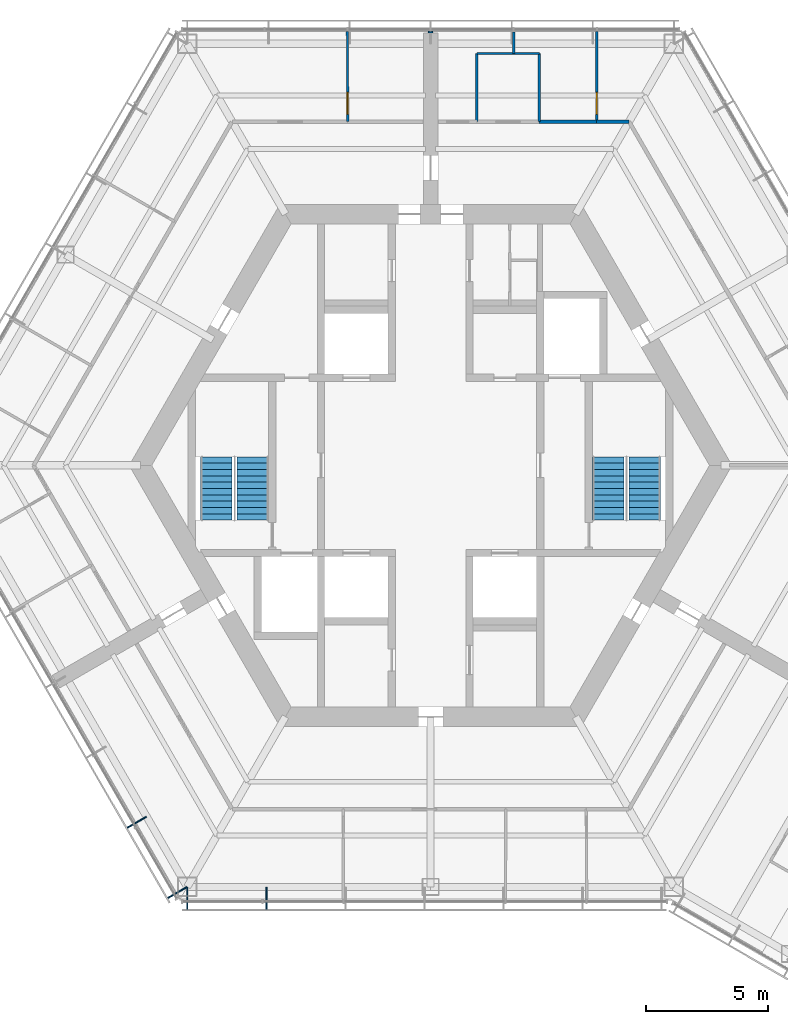
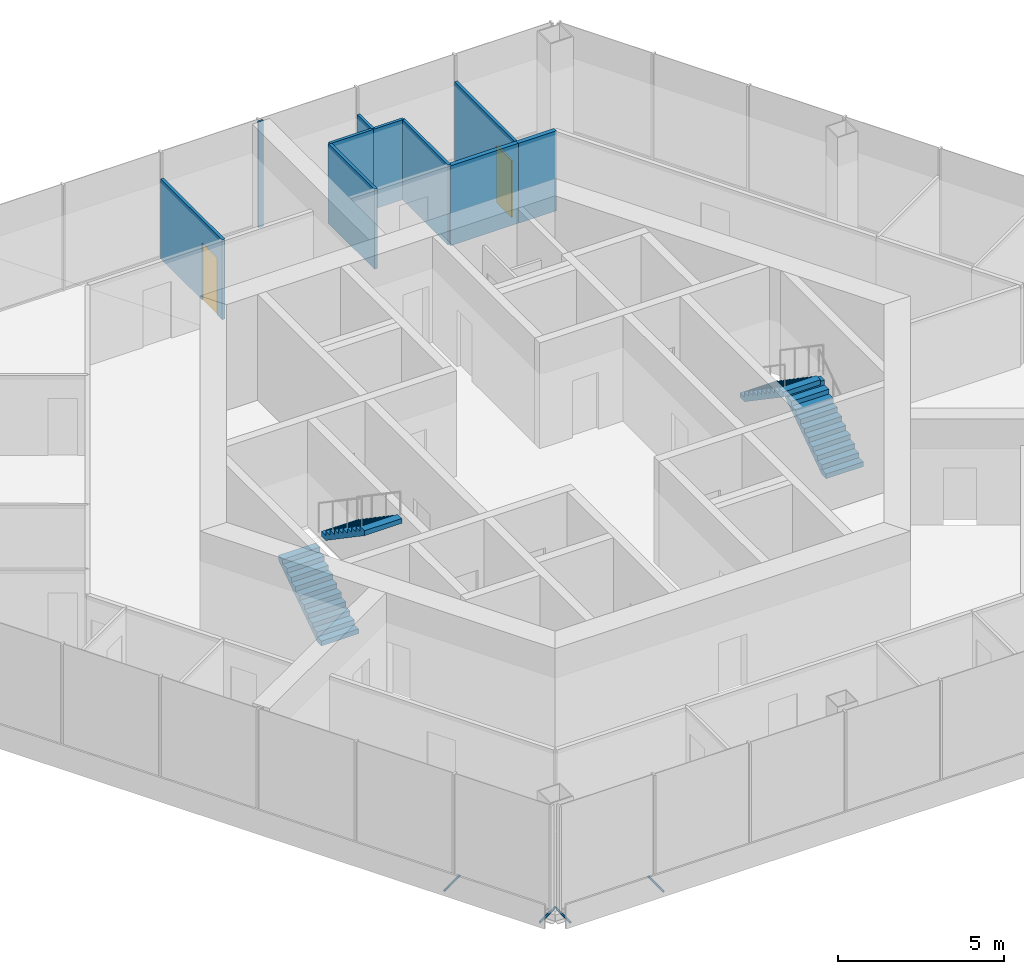
# One storey, part 10 of 13: 10 walls, 4 discrete accessories, 4 stair flights, 2 doors, 2 openings, 2 elements without a shape of their own.
"""IFC4 building model written with IfcOpenShell, lengths in metres."""

from ifc_helpers import new_model, si_unit, direction, frame, frame_2d, origin, origin_2d, place, context, subcontext, project, spatial, polyline, rectangle, hollow_circle, outline, extrude, material, layer, layer_set, material_profile, profile_set, type_object, element, fill, aggregate, save


model = new_model("IFC4")

# Units and contexts
model_context = context("Model", 3, precision=1e-05, world=origin(), true_north=direction((0.0, 1.0)))
body_context = subcontext(model_context, "Body", "Model", "MODEL_VIEW")
ifc_project = project(units=[si_unit("LENGTHUNIT", "METRE"), si_unit("AREAUNIT", "SQUARE_METRE"), si_unit("VOLUMEUNIT", "CUBIC_METRE"), si_unit("PLANEANGLEUNIT", "RADIAN"), si_unit("MASSUNIT", "GRAM", prefix="KILO")], contexts=[model_context])

# Site, building, storey
site_placement = place(None, origin())
site = spatial("IfcSite", under=ifc_project, at=site_placement, CompositionType="ELEMENT")
building_placement = place(site_placement, origin())
building = spatial("IfcBuilding", under=site, at=building_placement, Name="Kasaneha Research Tower", CompositionType="ELEMENT")
storey_placement = place(building_placement, frame((0.0, 0.0, 283.0)))
storey = spatial("IfcBuildingStorey", under=building, at=storey_placement, Name="L71", CompositionType="ELEMENT", Elevation=283.0)

# Walls
ifc_material_1 = material(Name="Gypsum board on steel studs, one layer each side", Category="steel")
ifc_layer_1 = layer(ifc_material_1, 0.10009765625)
ifc_layer_set_1 = layer_set([ifc_layer_1], Name="Office partition 100")
wall_type_1 = type_object("IfcWallType", Name="Office partition 100", PredefinedType="PARTITIONING", material=ifc_layer_set_1)
wall_1_placement = place(storey_placement, frame((3.410400390625, 16.925048828125, 0.0), z_axis=(0.0, 0.0, 1.0), x_axis=(1.0, 0.0, 0.0)))
element("IfcWall", 1, at=wall_1_placement, inside=storey, type_object=wall_type_1, Name="Office partition FAE08 L71", PredefinedType="PARTITIONING", context=body_context, shape_type="SweptSolid", body=[
    extrude(rectangle(XDim=1.0546875, YDim=0.10009765625, at=frame_2d((0.52734375, 0.0))), origin(), (0.0, 0.0, 1.0), 2.949951171875),
])
wall_2_placement = place(storey_placement, frame((4.465087890625, 16.925048828125, 0.0), z_axis=(0.0, 0.0, 1.0), x_axis=(-0.001831019688, -0.999998323682, 0.0)))
element("IfcWall", 2, at=wall_2_placement, inside=storey, type_object=wall_type_1, Name="Office partition FAE09 L71", PredefinedType="PARTITIONING", context=body_context, shape_type="SweptSolid", body=[
    extrude(rectangle(XDim=2.800048828125, YDim=0.10009765625, at=frame_2d((1.39990234375, 0.0))), origin(), (0.0, 0.0, 1.0), 2.949951171875),
])
wall_3_placement = place(storey_placement, frame((1.89990234375, 16.925048828125, 0.0), z_axis=(0.0, 0.0, 1.0), x_axis=(1.0, 0.0, 0.0)))
element("IfcWall", 3, at=wall_3_placement, inside=storey, type_object=wall_type_1, Name="Office partition FAE10 L71", PredefinedType="PARTITIONING", context=body_context, shape_type="SweptSolid", body=[
    extrude(rectangle(XDim=1.5205078125, YDim=0.10009765625, at=frame_2d((0.76025390625, 0.0))), origin(), (0.0, 0.0, 1.0), 2.949951171875),
])
wall_4_placement = place(storey_placement, frame((1.905029296875, 14.125, 0.0), z_axis=(0.0, 0.0, 1.0), x_axis=(-0.001831019688, 0.999998323682, 0.0)))
element("IfcWall", 4, at=wall_4_placement, inside=storey, type_object=wall_type_1, Name="Office partition FAE11 L71", PredefinedType="PARTITIONING", context=body_context, shape_type="SweptSolid", body=[
    extrude(rectangle(XDim=2.800048828125, YDim=0.10009765625, at=frame_2d((1.39990234375, 0.0))), origin(), (0.0, 0.0, 1.0), 2.949951171875),
])
wall_5_placement = place(storey_placement, frame((3.42041015625, 16.925048828125, 0.0), z_axis=(0.0, 0.0, 1.0), x_axis=(-0.005577158101, 0.999984447533, 0.0)))
element("IfcWall", 5, at=wall_5_placement, inside=storey, type_object=wall_type_1, Name="Office partition FAE14 L71", PredefinedType="PARTITIONING", context=body_context, shape_type="SweptSolid", body=[
    extrude(rectangle(XDim=0.87548828125, YDim=0.10009765625, at=frame_2d((0.437744140625, 0.0))), origin(), (0.0, 0.0, 1.0), 2.949951171875),
])

# Wall, opening, door
wall_6_placement = place(storey_placement, frame((6.8310546875, 17.83544921875, 0.0), z_axis=(0.0, 0.0, 1.0), x_axis=(-0.001250163518, -0.999999218545, 0.0)))
wall_6 = element("IfcWall", 6, at=wall_6_placement, inside=storey, type_object=wall_type_1, Name="Office partition FAE15 L71", PredefinedType="PARTITIONING", context=body_context, shape_type="SweptSolid", body=[
    extrude(rectangle(XDim=3.71044921875, YDim=0.10009765625, at=frame_2d((1.855224609375, 0.0))), origin(), (0.0, 0.0, 1.0), 2.949951171875),
])
opening_1_placement = place(wall_6_placement, frame((2.510498046875, 0.0, 0.0)))
opening_1 = element("IfcOpeningElement", 7, at=opening_1_placement, cuts=wall_6, Name="Opening L71-D28", PredefinedType="OPENING", context=body_context, shape_type="SweptSolid", body=[
    extrude(rectangle(XDim=0.89990234375, YDim=2.10009765625, at=frame_2d((0.449951171875, 1.050048828125))), frame((0.0, 0.06005859375, 0.0), z_axis=(0.0, -1.0, 0.0), x_axis=(1.0, 0.0, 0.0)), (0.0, 0.0, 1.0), 0.1201171875),
])
ifc_material_2 = material(Name="Timber veneer", Category="wood")
door_type = type_object("IfcDoorType", Name="Office door 900x2100", OperationType="SINGLE_SWING_LEFT", PredefinedType="DOOR", material=ifc_material_2)
door_1_placement = place(opening_1_placement, origin())
door_1 = element("IfcDoor", 8, at=door_1_placement, inside=storey, type_object=door_type, Name="Executive office door L71-D28", OperationType="SINGLE_SWING_RIGHT", OverallHeight=2.10009765625, OverallWidth=0.89990234375, PredefinedType="DOOR", context=body_context, shape_type="SweptSolid", body=[
    extrude(rectangle(XDim=0.89990234375, YDim=2.10009765625, at=frame_2d((0.449951171875, 1.050048828125))), frame((0.0, 0.02490234375, 0.0), z_axis=(0.0, -1.0, 0.0), x_axis=(1.0, 0.0, 0.0)), (0.0, 0.0, 1.0), 0.050048828125),
])
fill(opening_1, door_1)

wall_7_placement = place(storey_placement, frame((-3.410888671875, 14.125, 0.0), z_axis=(0.0, 0.0, 1.0), x_axis=(-0.001250163518, 0.999999218545, 0.0)))
wall_7 = element("IfcWall", 9, at=wall_7_placement, inside=storey, type_object=wall_type_1, Name="Office partition FAW03 L71", PredefinedType="PARTITIONING", context=body_context, shape_type="SweptSolid", body=[
    extrude(rectangle(XDim=3.71044921875, YDim=0.10009765625, at=frame_2d((1.855224609375, 0.0))), origin(), (0.0, 0.0, 1.0), 2.949951171875),
])
opening_2_placement = place(wall_7_placement, frame((0.300048828125, 0.0, 0.0)))
opening_2 = element("IfcOpeningElement", 10, at=opening_2_placement, cuts=wall_7, Name="Opening L71-D30", PredefinedType="OPENING", context=body_context, shape_type="SweptSolid", body=[
    extrude(rectangle(XDim=0.89990234375, YDim=2.10009765625, at=frame_2d((0.449951171875, 1.050048828125))), frame((0.0, 0.06005859375, 0.0), z_axis=(0.0, -1.0, 0.0), x_axis=(1.0, 0.0, 0.0)), (0.0, 0.0, 1.0), 0.1201171875),
])
door_2_placement = place(opening_2_placement, origin())
door_2 = element("IfcDoor", 11, at=door_2_placement, inside=storey, type_object=door_type, Name="Executive office door L71-D30", OperationType="SINGLE_SWING_LEFT", OverallHeight=2.10009765625, OverallWidth=0.89990234375, PredefinedType="DOOR", context=body_context, shape_type="SweptSolid", body=[
    extrude(rectangle(XDim=0.89990234375, YDim=2.10009765625, at=frame_2d((0.449951171875, 1.050048828125))), frame((0.0, 0.02490234375, 0.0), z_axis=(0.0, -1.0, 0.0), x_axis=(1.0, 0.0, 0.0)), (0.0, 0.0, 1.0), 0.050048828125),
])
fill(opening_2, door_2)

# Walls
ifc_material_3 = material(Name="Gypsum board on steel studs, two layers each side", Category="steel")
ifc_layer_2 = layer(ifc_material_3, 0.14990234375)
ifc_layer_set_2 = layer_set([ifc_layer_2], Name="Suite partition 150")
wall_type_2 = type_object("IfcWallType", Name="Suite partition 150", PredefinedType="PARTITIONING", material=ifc_layer_set_2)
wall_8_placement = place(storey_placement, frame((4.4599609375, 14.125, 0.0), z_axis=(0.0, 0.0, 1.0), x_axis=(1.0, 0.0, 0.0)))
element("IfcWall", 12, at=wall_8_placement, inside=storey, type_object=wall_type_2, Name="Suite partition FAE03 L71", PredefinedType="PARTITIONING", context=body_context, shape_type="SweptSolid", body=[
    extrude(rectangle(XDim=2.3759765625, YDim=0.14990234375, at=frame_2d((1.18798828125, 0.0))), origin(), (0.0, 0.0, 1.0), 2.949951171875),
])
wall_9_placement = place(storey_placement, frame((6.826416015625, 14.125, 0.0), z_axis=(0.0, 0.0, 1.0), x_axis=(1.0, 0.0, 0.0)))
element("IfcWall", 13, at=wall_9_placement, inside=storey, type_object=wall_type_2, Name="Suite partition FAE06 L71", PredefinedType="PARTITIONING", context=body_context, shape_type="SweptSolid", body=[
    extrude(rectangle(XDim=1.32861328125, YDim=0.14990234375, at=frame_2d((0.664306640625, 0.0))), origin(), (0.0, 0.0, 1.0), 2.949951171875),
])
ifc_material_4 = material(Name="Gypsum board on steel studs, two layers each side", Category="steel")
ifc_layer_3 = layer(ifc_material_4, 0.175048828125)
ifc_layer_set_3 = layer_set([ifc_layer_3], Name="Tenancy fire partition 175")
wall_type_3 = type_object("IfcWallType", Name="Tenancy fire partition 175", PredefinedType="PARTITIONING", material=ifc_layer_set_3)
wall_10_placement = place(storey_placement, frame((0.0, 17.7705078125, 0.0), z_axis=(0.0, 0.0, 1.0), x_axis=(0.0, 1.0, 0.0)))
element("IfcWall", 14, at=wall_10_placement, inside=storey, type_object=wall_type_3, Name="Spine wall closer SW4-600 L71", PredefinedType="PARTITIONING", context=body_context, shape_type="SweptSolid", body=[
    extrude(rectangle(XDim=0.06494140625, YDim=0.175048828125, at=frame_2d((0.032470703125, 0.0))), origin(), (0.0, 0.0, 1.0), 3.89990234375),
])

# Stair, stair flights
ifc_material_5 = material(Name="Concrete Fc24", Category="concrete")
stair_type = type_object("IfcStairType", Name="Half-turn stair 22 risers", PredefinedType="HALF_TURN_STAIR", material=ifc_material_5)
stair_1_placement = place(storey_placement, origin())
stair_1 = element("IfcStair", 15, at=stair_1_placement, inside=storey, type_object=stair_type, Name="Stair 1 L71", PredefinedType="HALF_TURN_STAIR")
ifc_material_6 = material(Name="Concrete Fc24", Category="concrete")
stair_flight_type = type_object("IfcStairFlightType", Name="Stair flight 11 risers 177.3", PredefinedType="STRAIGHT", material=ifc_material_6)
stair_flight_1_placement = place(storey_placement, frame((8.800048828125, -2.25, 0.0), z_axis=(0.0, 0.0, 1.0), x_axis=(0.0, 1.0, 0.0)))
stair_flight_1 = element("IfcStairFlight", 16, at=stair_flight_1_placement, type_object=stair_flight_type, Name="ST1-22R flight 1", NumberOfRisers=11, NumberOfTreads=10, PredefinedType="STRAIGHT", RiserHeight=0.177272727, TreadLength=0.26, context=body_context, shape_type="SweptSolid", body=[
    extrude(outline(polyline([(0.0, 0.0), (0.0, 0.17724609375), (0.260009765625, 0.17724609375), (0.260009765625, 0.3544921875), (0.52001953125, 0.3544921875), (0.52001953125, 0.53173828125), (0.780029296875, 0.53173828125), (0.780029296875, 0.708984375), (1.0400390625, 0.708984375), (1.0400390625, 0.886474609375), (1.300048828125, 0.886474609375), (1.300048828125, 1.063720703125), (1.56005859375, 1.063720703125), (1.56005859375, 1.240966796875), (1.820068359375, 1.240966796875), (1.820068359375, 1.418212890625), (2.080078125, 1.418212890625), (2.080078125, 1.595458984375), (2.340087890625, 1.595458984375), (2.340087890625, 1.772705078125), (2.60009765625, 1.772705078125), (2.60009765625, 1.949951171875), (2.60009765625, 1.59130859375), (0.26611328125, 0.0), (0.0, 0.0)])), frame((0.0, 0.64990234375, 0.0), z_axis=(0.0, -1.0, 0.0), x_axis=(1.0, 0.0, 0.0)), (0.0, 0.0, 1.0), 1.300048828125),
])
stair_flight_2_placement = place(storey_placement, frame((7.300048828125, 0.35009765625, 1.949951171875), z_axis=(0.0, 0.0, 1.0), x_axis=(0.0, -1.0, 0.0)))
stair_flight_2 = element("IfcStairFlight", 17, at=stair_flight_2_placement, type_object=stair_flight_type, Name="ST1-22R flight 2", NumberOfRisers=11, NumberOfTreads=10, PredefinedType="STRAIGHT", RiserHeight=0.177272727, TreadLength=0.26, context=body_context, shape_type="SweptSolid", body=[
    extrude(outline(polyline([(0.0, 0.0), (0.0, 0.17724609375), (0.260009765625, 0.17724609375), (0.260009765625, 0.3544921875), (0.52001953125, 0.3544921875), (0.52001953125, 0.53173828125), (0.780029296875, 0.53173828125), (0.780029296875, 0.708984375), (1.0400390625, 0.708984375), (1.0400390625, 0.886474609375), (1.300048828125, 0.886474609375), (1.300048828125, 1.063720703125), (1.56005859375, 1.063720703125), (1.56005859375, 1.240966796875), (1.820068359375, 1.240966796875), (1.820068359375, 1.418212890625), (2.080078125, 1.418212890625), (2.080078125, 1.595458984375), (2.340087890625, 1.595458984375), (2.340087890625, 1.772705078125), (2.60009765625, 1.772705078125), (2.60009765625, 1.949951171875), (2.60009765625, 1.59130859375), (0.26611328125, 0.0), (0.0, 0.0)])), frame((0.0, 0.64990234375, 0.0), z_axis=(0.0, -1.0, 0.0), x_axis=(1.0, 0.0, 0.0)), (0.0, 0.0, 1.0), 1.300048828125),
])
aggregate(stair_1, [stair_flight_1, stair_flight_2])

stair_2_placement = place(storey_placement, origin())
stair_2 = element("IfcStair", 18, at=stair_2_placement, inside=storey, type_object=stair_type, Name="Stair 2 L71", PredefinedType="HALF_TURN_STAIR")
stair_flight_3_placement = place(storey_placement, frame((-8.800048828125, -2.25, 0.0), z_axis=(0.0, 0.0, 1.0), x_axis=(0.0, 1.0, 0.0)))
stair_flight_3 = element("IfcStairFlight", 19, at=stair_flight_3_placement, type_object=stair_flight_type, Name="ST2-22R flight 1", NumberOfRisers=11, NumberOfTreads=10, PredefinedType="STRAIGHT", RiserHeight=0.177272727, TreadLength=0.26, context=body_context, shape_type="SweptSolid", body=[
    extrude(outline(polyline([(0.0, 0.0), (0.0, 0.17724609375), (0.260009765625, 0.17724609375), (0.260009765625, 0.3544921875), (0.52001953125, 0.3544921875), (0.52001953125, 0.53173828125), (0.780029296875, 0.53173828125), (0.780029296875, 0.708984375), (1.0400390625, 0.708984375), (1.0400390625, 0.886474609375), (1.300048828125, 0.886474609375), (1.300048828125, 1.063720703125), (1.56005859375, 1.063720703125), (1.56005859375, 1.240966796875), (1.820068359375, 1.240966796875), (1.820068359375, 1.418212890625), (2.080078125, 1.418212890625), (2.080078125, 1.595458984375), (2.340087890625, 1.595458984375), (2.340087890625, 1.772705078125), (2.60009765625, 1.772705078125), (2.60009765625, 1.949951171875), (2.60009765625, 1.59130859375), (0.26611328125, 0.0), (0.0, 0.0)])), frame((0.0, 0.64990234375, 0.0), z_axis=(0.0, -1.0, 0.0), x_axis=(1.0, 0.0, 0.0)), (0.0, 0.0, 1.0), 1.300048828125),
])
stair_flight_4_placement = place(storey_placement, frame((-7.300048828125, 0.35009765625, 1.949951171875), z_axis=(0.0, 0.0, 1.0), x_axis=(0.0, -1.0, 0.0)))
stair_flight_4 = element("IfcStairFlight", 20, at=stair_flight_4_placement, type_object=stair_flight_type, Name="ST2-22R flight 2", NumberOfRisers=11, NumberOfTreads=10, PredefinedType="STRAIGHT", RiserHeight=0.177272727, TreadLength=0.26, context=body_context, shape_type="SweptSolid", body=[
    extrude(outline(polyline([(0.0, 0.0), (0.0, 0.17724609375), (0.260009765625, 0.17724609375), (0.260009765625, 0.3544921875), (0.52001953125, 0.3544921875), (0.52001953125, 0.53173828125), (0.780029296875, 0.53173828125), (0.780029296875, 0.708984375), (1.0400390625, 0.708984375), (1.0400390625, 0.886474609375), (1.300048828125, 0.886474609375), (1.300048828125, 1.063720703125), (1.56005859375, 1.063720703125), (1.56005859375, 1.240966796875), (1.820068359375, 1.240966796875), (1.820068359375, 1.418212890625), (2.080078125, 1.418212890625), (2.080078125, 1.595458984375), (2.340087890625, 1.595458984375), (2.340087890625, 1.772705078125), (2.60009765625, 1.772705078125), (2.60009765625, 1.949951171875), (2.60009765625, 1.59130859375), (0.26611328125, 0.0), (0.0, 0.0)])), frame((0.0, 0.64990234375, 0.0), z_axis=(0.0, -1.0, 0.0), x_axis=(1.0, 0.0, 0.0)), (0.0, 0.0, 1.0), 1.300048828125),
])
aggregate(stair_2, [stair_flight_3, stair_flight_4])

# Discrete accessories
ifc_material_7 = material(Name="Steel STK400", Category="steel")
ifc_material_profile = material_profile(ifc_material_7, hollow_circle(Radius=0.0380859375, WallThickness=0.00390625, at=origin_2d()), Name="CHS-76.3x4.0")
ifc_profile_set = profile_set([ifc_material_profile], Name="Steel STK400")
discrete_accessory_type = type_object("IfcDiscreteAccessoryType", Name="Screen bracket CHS-76.3x4.0", PredefinedType="BRACKET", material=ifc_profile_set)
discrete_accessory_1_placement = place(storey_placement, frame((-11.66796875, -14.431640625, -0.300048828125), z_axis=(-0.866013213425, -0.500021113727, 0.0), x_axis=(0.500021113727, -0.866013213425, 0.0)))
element("IfcDiscreteAccessory", 21, at=discrete_accessory_1_placement, inside=storey, type_object=discrete_accessory_type, Name="Screen bracket 6", PredefinedType="BRACKET", context=body_context, shape_type="SweptSolid", body=[
    extrude(hollow_circle(Radius=0.0380859375, WallThickness=0.00390625, at=origin_2d()), origin(), (0.0, 0.0, 1.0), 0.919921875),
])
discrete_accessory_2_placement = place(storey_placement, frame((-10.001708984375, -17.3173828125, -0.300048828125), z_axis=(-0.866079547155, -0.499906209203, 0.0), x_axis=(0.499906209203, -0.866079547155, 0.0)))
element("IfcDiscreteAccessory", 22, at=discrete_accessory_2_placement, inside=storey, type_object=discrete_accessory_type, Name="Screen bracket 7", PredefinedType="BRACKET", context=body_context, shape_type="SweptSolid", body=[
    extrude(hollow_circle(Radius=0.0380859375, WallThickness=0.00390625, at=origin_2d()), origin(), (0.0, 0.0, 1.0), 0.920166015625),
])
for number, where, z_axis, x_axis, name in (
    (23, (-9.996337890625, -17.320556640625, -0.300048828125), (0.0, -1.0, 0.0), (1.0, 0.0, 0.0), "Screen bracket 1"),
    (24, (-6.748779296875, -17.320556640625, -0.300048828125), (0.0, -1.0, 0.0), (1.0, 0.0, 0.0), "Screen bracket 2"),
):
    element("IfcDiscreteAccessory", number, at=place(storey_placement, frame(where, z_axis=z_axis, x_axis=x_axis)), inside=storey, type_object=discrete_accessory_type, Name=name, PredefinedType="BRACKET", context=body_context, shape_type="SweptSolid", body=[
        extrude(hollow_circle(Radius=0.0380859375, WallThickness=0.00390625, at=origin_2d()), origin(), (0.0, 0.0, 1.0), 0.919921875),
    ])

save(model, "model.ifc")
